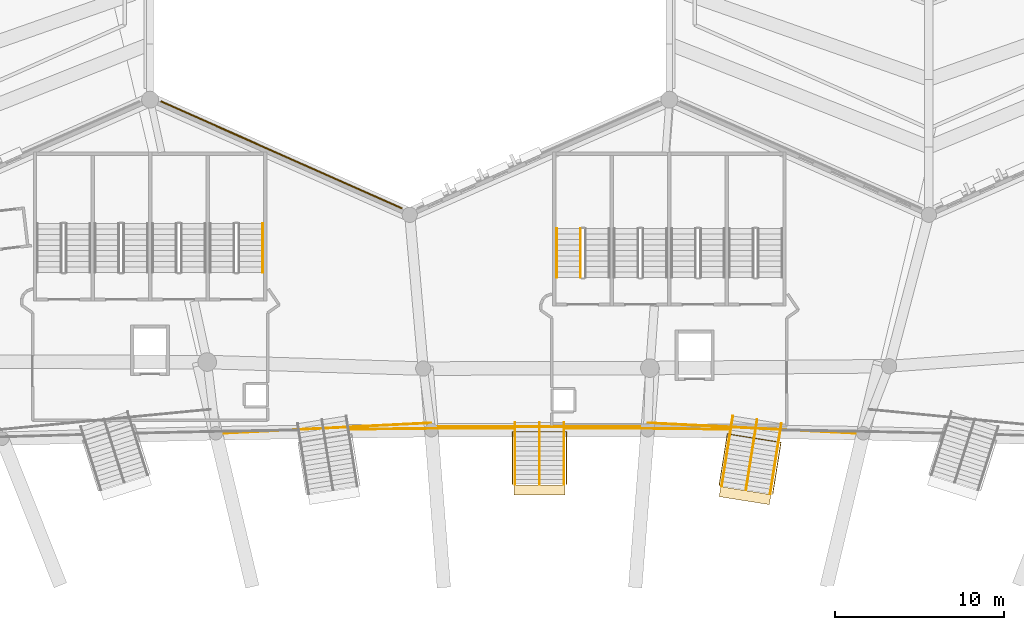
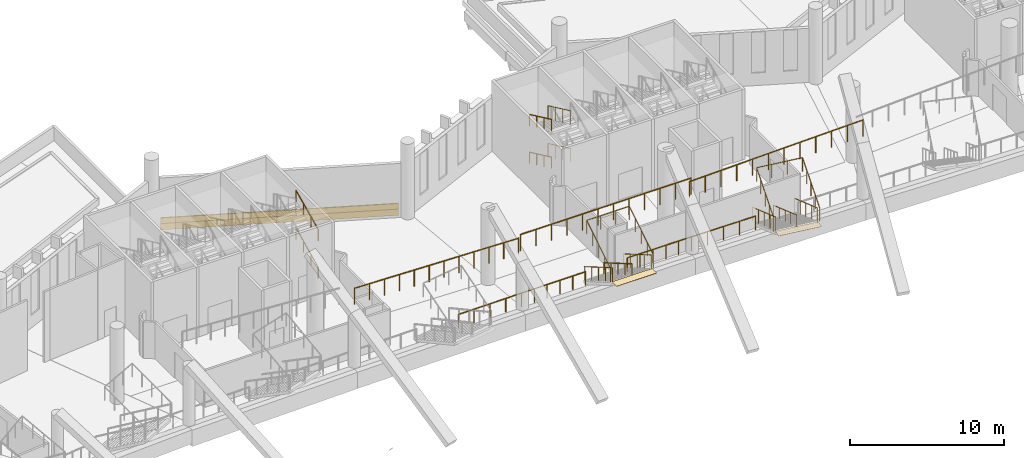
# One storey, part 157 of 173: 19 railings, 4 coverings.
"""IFC4 building model written with IfcOpenShell, lengths in metres."""

from ifc_helpers import new_model, si_unit, direction, frame, origin, origin_2d, place, context, subcontext, project, spatial, rectangle, circle, extrude, material, layer, layer_set, type_object, element, save


model = new_model("IFC4")

# Units and contexts
model_context = context("Model", 3, precision=1e-05, world=origin(), true_north=direction((0.0, 1.0)))
body_context = subcontext(model_context, "Body", "Model", "MODEL_VIEW")
ifc_project = project(units=[si_unit("LENGTHUNIT", "METRE"), si_unit("AREAUNIT", "SQUARE_METRE"), si_unit("VOLUMEUNIT", "CUBIC_METRE"), si_unit("PLANEANGLEUNIT", "RADIAN"), si_unit("MASSUNIT", "GRAM", prefix="KILO")], contexts=[model_context])

# Site, building, storey
site_placement = place(None, origin())
site = spatial("IfcSite", under=ifc_project, at=site_placement, CompositionType="ELEMENT")
building_placement = place(site_placement, origin())
building = spatial("IfcBuilding", under=site, at=building_placement, Name="Meseta Stadium", CompositionType="ELEMENT")
storey_placement = place(building_placement, frame((0.0, 0.0, 18.0)))
storey = spatial("IfcBuildingStorey", under=building, at=storey_placement, Name="L03", CompositionType="ELEMENT", Elevation=18.0)

# Covering
ifc_material_1 = material(Name="Guadarrama granite cladding", Category="masonry")
ifc_layer_1 = layer(ifc_material_1, 0.06005859375)
ifc_layer_set_1 = layer_set([ifc_layer_1], Name="Granite plinth cladding 60")
covering_type_1 = type_object("IfcCoveringType", Name="Granite plinth cladding 60", PredefinedType="CLADDING", material=ifc_layer_set_1)
covering_1_placement = place(storey_placement, frame((-15.247802734375, 102.131591796875, 0.0), z_axis=(0.0, 0.0, 1.0), x_axis=(0.914139367606, -0.405400069798, 0.0)))
element("IfcCovering", 1, at=covering_1_placement, inside=storey, type_object=covering_type_1, Name="Granite plinth L03 F19", PredefinedType="CLADDING", context=body_context, shape_type="SweptSolid", body=[
    extrude(rectangle(XDim=15.58447265625, YDim=0.06005859375, at=origin_2d()), origin(), (0.0, 0.0, 1.0), 0.5),
])

# Railings
ifc_material_2 = material(Name="Steel S355", Category="steel")
railing_type_1 = type_object("IfcRailingType", Name="Plate edge guard 1100", PredefinedType="GUARDRAIL", material=ifc_material_2)
railing_1_placement = place(storey_placement, frame((11.171142578125, 85.928955078125, 0.0)))
element("IfcRailing", 2, at=railing_1_placement, inside=storey, type_object=railing_type_1, Name="L03 inner edge guard 19", PredefinedType="GUARDRAIL", context=body_context, shape_type="SweptSolid", body=[
    extrude(circle(Radius=0.02490234375, at=origin_2d()), frame((0.0, 0.0, 1.0751953125), z_axis=(-0.999949968022, 0.010003072206, 0.0), x_axis=(-0.010003072206, -0.999949968022, 0.0)), (0.0, 0.0, 1.0), 4.78369140625),
    extrude(circle(Radius=0.02490234375, at=origin_2d()), frame((-4.783447265625, 0.0478515625, 1.0751953125), z_axis=(-0.999990281126, 0.004408815409, 0.0), x_axis=(-0.004408815409, -0.999990281126, 0.0)), (0.0, 0.0, 1.0), 4.817626953125),
    extrude(circle(Radius=0.02001953125, at=origin_2d()), origin(), (0.0, 0.0, 1.0), 1.050048828125),
    extrude(circle(Radius=0.02001953125, at=origin_2d()), frame((-1.19580078125, 0.011962890625, 0.0)), (0.0, 0.0, 1.0), 1.050048828125),
    extrude(circle(Radius=0.02001953125, at=origin_2d()), frame((-2.3916015625, 0.02392578125, 0.0)), (0.0, 0.0, 1.0), 1.050048828125),
    extrude(circle(Radius=0.02001953125, at=origin_2d()), frame((-3.587646484375, 0.035888671875, 0.0)), (0.0, 0.0, 1.0), 1.050048828125),
    extrude(circle(Radius=0.02001953125, at=origin_2d()), frame((-4.783447265625, 0.0478515625, 0.0)), (0.0, 0.0, 1.0), 1.050048828125),
    extrude(circle(Radius=0.02001953125, at=origin_2d()), frame((-5.7470703125, 0.052001953125, 0.0)), (0.0, 0.0, 1.0), 1.050048828125),
    extrude(circle(Radius=0.02001953125, at=origin_2d()), frame((-6.71044921875, 0.056396484375, 0.0)), (0.0, 0.0, 1.0), 1.050048828125),
    extrude(circle(Radius=0.02001953125, at=origin_2d()), frame((-7.674072265625, 0.060546875, 0.0)), (0.0, 0.0, 1.0), 1.050048828125),
    extrude(circle(Radius=0.02001953125, at=origin_2d()), frame((-8.637451171875, 0.06494140625, 0.0)), (0.0, 0.0, 1.0), 1.050048828125),
    extrude(circle(Radius=0.02001953125, at=origin_2d()), frame((-9.60107421875, 0.069091796875, 0.0)), (0.0, 0.0, 1.0), 1.050048828125),
])
railing_2_placement = place(storey_placement, frame((-1.570068359375, 85.998046875, 0.0)))
element("IfcRailing", 3, at=railing_2_placement, inside=storey, type_object=railing_type_1, Name="L03 inner edge guard 20", PredefinedType="GUARDRAIL", context=body_context, shape_type="SweptSolid", body=[
    extrude(circle(Radius=0.02490234375, at=origin_2d()), frame((0.0, 0.0, 1.0751953125), z_axis=(-0.999990281126, -0.004408815409, 0.0), x_axis=(0.004408815409, -0.999990281126, 0.0)), (0.0, 0.0, 1.0), 4.817626953125),
    extrude(circle(Radius=0.02490234375, at=origin_2d()), frame((-4.817626953125, -0.021240234375, 1.0751953125), z_axis=(-0.999949968022, -0.010003072206, 0.0), x_axis=(0.010003072206, -0.999949968022, 0.0)), (0.0, 0.0, 1.0), 4.78369140625),
    extrude(circle(Radius=0.02001953125, at=origin_2d()), origin(), (0.0, 0.0, 1.0), 1.050048828125),
    extrude(circle(Radius=0.02001953125, at=origin_2d()), frame((-0.963623046875, -0.004150390625, 0.0)), (0.0, 0.0, 1.0), 1.050048828125),
    extrude(circle(Radius=0.02001953125, at=origin_2d()), frame((-1.927001953125, -0.008544921875, 0.0)), (0.0, 0.0, 1.0), 1.050048828125),
    extrude(circle(Radius=0.02001953125, at=origin_2d()), frame((-2.890625, -0.0126953125, 0.0)), (0.0, 0.0, 1.0), 1.050048828125),
    extrude(circle(Radius=0.02001953125, at=origin_2d()), frame((-3.85400390625, -0.01708984375, 0.0)), (0.0, 0.0, 1.0), 1.050048828125),
    extrude(circle(Radius=0.02001953125, at=origin_2d()), frame((-4.817626953125, -0.021240234375, 0.0)), (0.0, 0.0, 1.0), 1.050048828125),
    extrude(circle(Radius=0.02001953125, at=origin_2d()), frame((-6.013427734375, -0.033203125, 0.0)), (0.0, 0.0, 1.0), 1.050048828125),
    extrude(circle(Radius=0.02001953125, at=origin_2d()), frame((-7.20947265625, -0.045166015625, 0.0)), (0.0, 0.0, 1.0), 1.050048828125),
    extrude(circle(Radius=0.02001953125, at=origin_2d()), frame((-8.4052734375, -0.05712890625, 0.0)), (0.0, 0.0, 1.0), 1.050048828125),
    extrude(circle(Radius=0.02001953125, at=origin_2d()), frame((-9.60107421875, -0.069091796875, 0.0)), (0.0, 0.0, 1.0), 1.050048828125),
])
ifc_material_3 = material(Name="Steel S355", Category="steel")
railing_type_2 = type_object("IfcRailingType", Name="Stair guard 1100", PredefinedType="GUARDRAIL", material=ifc_material_3)
for number, where, name in (
    (4, (2.416748046875, 97.780029296875, 1.64990234375), "ST40 L03 guard 3"),
    (5, (2.416748046875, 97.780029296875, 4.64990234375), "ST40 L03 guard 7"),
):
    element("IfcRailing", number, at=place(storey_placement, frame(where)), inside=storey, type_object=railing_type_2, Name=name, PredefinedType="GUARDRAIL", context=body_context, shape_type="SweptSolid", body=[
        extrude(circle(Radius=0.02392578125, at=origin_2d()), frame((0.0, 0.0, 1.076171875), z_axis=(0.0, -0.905454327043, 0.424443708447), x_axis=(1.0, 0.0, 0.0)), (0.0, 0.0, 1.0), 3.180908203125),
        extrude(circle(Radius=0.02099609375, at=origin_2d()), origin(), (0.0, 0.0, 1.0), 1.052001953125),
        extrude(circle(Radius=0.02099609375, at=origin_2d()), frame((0.0, -0.9599609375, 0.449951171875)), (0.0, 0.0, 1.0), 1.052001953125),
        extrude(circle(Radius=0.02099609375, at=origin_2d()), frame((0.0, -1.920166015625, 0.900146484375)), (0.0, 0.0, 1.0), 1.052001953125),
        extrude(circle(Radius=0.02099609375, at=origin_2d()), frame((0.0, -2.880126953125, 1.35009765625)), (0.0, 0.0, 1.0), 1.052001953125),
    ])
ifc_material_4 = material(Name="Steel S355", Category="steel")
railing_type_3 = type_object("IfcRailingType", Name="Stair handrail 900", PredefinedType="HANDRAIL", material=ifc_material_4)
for number, where, name in (
    (6, (1.0166015625, 97.780029296875, 1.64990234375), "ST40 L03 handrail 2"),
    (7, (1.0166015625, 97.780029296875, 4.64990234375), "ST40 L03 handrail 4"),
):
    element("IfcRailing", number, at=place(storey_placement, frame(where)), inside=storey, type_object=railing_type_3, Name=name, PredefinedType="HANDRAIL", context=body_context, shape_type="SweptSolid", body=[
        extrude(circle(Radius=0.02392578125, at=origin_2d()), frame((0.0, 0.0, 0.8759765625), z_axis=(0.0, -0.905454327043, 0.424443708447), x_axis=(1.0, 0.0, 0.0)), (0.0, 0.0, 1.0), 3.180908203125),
        extrude(circle(Radius=0.02099609375, at=origin_2d()), origin(), (0.0, 0.0, 1.0), 0.851806640625),
        extrude(circle(Radius=0.02099609375, at=origin_2d()), frame((0.0, -0.9599609375, 0.449951171875)), (0.0, 0.0, 1.0), 0.851806640625),
        extrude(circle(Radius=0.02099609375, at=origin_2d()), frame((0.0, -1.920166015625, 0.900146484375)), (0.0, 0.0, 1.0), 0.851806640625),
        extrude(circle(Radius=0.02099609375, at=origin_2d()), frame((0.0, -2.880126953125, 1.35009765625)), (0.0, 0.0, 1.0), 0.851806640625),
    ])
for number, where, name in (
    (8, (-16.35009765625, 95.199951171875, 0.14990234375), "ST41 L03 handrail 1"),
    (9, (-16.35009765625, 95.199951171875, 3.14990234375), "ST41 L03 handrail 3"),
):
    element("IfcRailing", number, at=place(storey_placement, frame(where)), inside=storey, type_object=railing_type_3, Name=name, PredefinedType="HANDRAIL", context=body_context, shape_type="SweptSolid", body=[
        extrude(circle(Radius=0.02392578125, at=origin_2d()), frame((0.0, 0.0, 0.8759765625), z_axis=(0.0, 0.905454327043, 0.424443708447), x_axis=(-1.0, 0.0, 0.0)), (0.0, 0.0, 1.0), 3.180908203125),
        extrude(circle(Radius=0.02099609375, at=origin_2d()), origin(), (0.0, 0.0, 1.0), 0.851806640625),
        extrude(circle(Radius=0.02099609375, at=origin_2d()), frame((0.0, 0.9599609375, 0.449951171875)), (0.0, 0.0, 1.0), 0.851806640625),
        extrude(circle(Radius=0.02099609375, at=origin_2d()), frame((0.0, 1.920166015625, 0.900146484375)), (0.0, 0.0, 1.0), 0.851806640625),
        extrude(circle(Radius=0.02099609375, at=origin_2d()), frame((0.0, 2.880126953125, 1.35009765625)), (0.0, 0.0, 1.0), 0.851806640625),
    ])
ifc_material_5 = material(Name="Steel S355", Category="steel")
railing_type_4 = type_object("IfcRailingType", Name="Stand rear guard 1300", PredefinedType="GUARDRAIL", material=ifc_material_5)
railing_3_placement = place(storey_placement, frame((19.11181640625, 85.669921875, 4.8291015625)))
element("IfcRailing", 10, at=railing_3_placement, inside=storey, type_object=railing_type_4, Name="Stand upper tier rear guard bay 18", PredefinedType="GUARDRAIL", context=body_context, shape_type="SweptSolid", body=[
    extrude(circle(Radius=0.02490234375, at=origin_2d()), frame((0.0, 0.0, 1.27490234375), z_axis=(-0.996516209228, 0.04984306383, -0.066866387168), x_axis=(-0.049954865883, -0.998751476282, 0.0)), (0.0, 0.0, 1.0), 12.7353515625),
    extrude(circle(Radius=0.02001953125, at=origin_2d()), origin(), (0.0, 0.0, 1.0), 1.25),
    extrude(circle(Radius=0.02001953125, at=origin_2d()), frame((-1.15380859375, 0.0576171875, -0.077392578125)), (0.0, 0.0, 1.0), 1.25),
    extrude(circle(Radius=0.02001953125, at=origin_2d()), frame((-2.307373046875, 0.115478515625, -0.15478515625)), (0.0, 0.0, 1.0), 1.25),
    extrude(circle(Radius=0.02001953125, at=origin_2d()), frame((-3.461181640625, 0.173095703125, -0.232177734375)), (0.0, 0.0, 1.0), 1.25),
    extrude(circle(Radius=0.02001953125, at=origin_2d()), frame((-4.614990234375, 0.230712890625, -0.3095703125)), (0.0, 0.0, 1.0), 1.25),
    extrude(circle(Radius=0.02001953125, at=origin_2d()), frame((-5.7685546875, 0.28857421875, -0.386962890625)), (0.0, 0.0, 1.0), 1.25),
    extrude(circle(Radius=0.02001953125, at=origin_2d()), frame((-6.92236328125, 0.34619140625, -0.464599609375)), (0.0, 0.0, 1.0), 1.25),
    extrude(circle(Radius=0.02001953125, at=origin_2d()), frame((-8.075927734375, 0.404052734375, -0.5419921875)), (0.0, 0.0, 1.0), 1.25),
    extrude(circle(Radius=0.02001953125, at=origin_2d()), frame((-9.229736328125, 0.461669921875, -0.619384765625)), (0.0, 0.0, 1.0), 1.25),
    extrude(circle(Radius=0.02001953125, at=origin_2d()), frame((-10.383544921875, 0.519287109375, -0.69677734375)), (0.0, 0.0, 1.0), 1.25),
    extrude(circle(Radius=0.02001953125, at=origin_2d()), frame((-11.537109375, 0.5771484375, -0.774169921875)), (0.0, 0.0, 1.0), 1.25),
    extrude(circle(Radius=0.02001953125, at=origin_2d()), frame((-12.69091796875, 0.634765625, -0.8515625)), (0.0, 0.0, 1.0), 1.25),
])
railing_4_placement = place(storey_placement, frame((6.40283203125, 86.076171875, 4.401611328125)))
element("IfcRailing", 11, at=railing_4_placement, inside=storey, type_object=railing_type_4, Name="Stand upper tier rear guard bay 19", PredefinedType="GUARDRAIL", context=body_context, shape_type="SweptSolid", body=[
    extrude(circle(Radius=0.02490234375, at=origin_2d()), frame((0.0, 0.0, 1.27490234375), z_axis=(-1.0, 0.0, 0.0), x_axis=(0.0, -1.0, 0.0)), (0.0, 0.0, 1.0), 12.8056640625),
    extrude(circle(Radius=0.02001953125, at=origin_2d()), origin(), (0.0, 0.0, 1.0), 1.25),
    extrude(circle(Radius=0.02001953125, at=origin_2d()), frame((-1.1640625, 0.0, 0.0)), (0.0, 0.0, 1.0), 1.25),
    extrude(circle(Radius=0.02001953125, at=origin_2d()), frame((-2.328369140625, 0.0, 0.0)), (0.0, 0.0, 1.0), 1.25),
    extrude(circle(Radius=0.02001953125, at=origin_2d()), frame((-3.492431640625, 0.0, 0.0)), (0.0, 0.0, 1.0), 1.25),
    extrude(circle(Radius=0.02001953125, at=origin_2d()), frame((-4.656494140625, 0.0, 0.0)), (0.0, 0.0, 1.0), 1.25),
    extrude(circle(Radius=0.02001953125, at=origin_2d()), frame((-5.82080078125, 0.0, 0.0)), (0.0, 0.0, 1.0), 1.25),
    extrude(circle(Radius=0.02001953125, at=origin_2d()), frame((-6.98486328125, 0.0, 0.0)), (0.0, 0.0, 1.0), 1.25),
    extrude(circle(Radius=0.02001953125, at=origin_2d()), frame((-8.149169921875, 0.0, 0.0)), (0.0, 0.0, 1.0), 1.25),
    extrude(circle(Radius=0.02001953125, at=origin_2d()), frame((-9.313232421875, 0.0, 0.0)), (0.0, 0.0, 1.0), 1.25),
    extrude(circle(Radius=0.02001953125, at=origin_2d()), frame((-10.477294921875, 0.0, 0.0)), (0.0, 0.0, 1.0), 1.25),
    extrude(circle(Radius=0.02001953125, at=origin_2d()), frame((-11.6416015625, 0.0, 0.0)), (0.0, 0.0, 1.0), 1.25),
    extrude(circle(Radius=0.02001953125, at=origin_2d()), frame((-12.8056640625, 0.0, 0.0)), (0.0, 0.0, 1.0), 1.25),
])
railing_5_placement = place(storey_placement, frame((-6.4208984375, 86.3046875, 3.9775390625)))
element("IfcRailing", 12, at=railing_5_placement, inside=storey, type_object=railing_type_4, Name="Stand upper tier rear guard bay 20", PredefinedType="GUARDRAIL", context=body_context, shape_type="SweptSolid", body=[
    extrude(circle(Radius=0.02490234375, at=origin_2d()), frame((0.0, 0.0, 1.27490234375), z_axis=(-0.996516209228, -0.04984306383, 0.066866387168), x_axis=(0.049954865883, -0.998751476282, 0.0)), (0.0, 0.0, 1.0), 12.7353515625),
    extrude(circle(Radius=0.02001953125, at=origin_2d()), origin(), (0.0, 0.0, 1.0), 1.25),
    extrude(circle(Radius=0.02001953125, at=origin_2d()), frame((-1.15380859375, -0.0576171875, 0.077392578125)), (0.0, 0.0, 1.0), 1.25),
    extrude(circle(Radius=0.02001953125, at=origin_2d()), frame((-2.307373046875, -0.115478515625, 0.15478515625)), (0.0, 0.0, 1.0), 1.25),
    extrude(circle(Radius=0.02001953125, at=origin_2d()), frame((-3.461181640625, -0.173095703125, 0.232177734375)), (0.0, 0.0, 1.0), 1.25),
    extrude(circle(Radius=0.02001953125, at=origin_2d()), frame((-4.614990234375, -0.230712890625, 0.3095703125)), (0.0, 0.0, 1.0), 1.25),
    extrude(circle(Radius=0.02001953125, at=origin_2d()), frame((-5.7685546875, -0.28857421875, 0.386962890625)), (0.0, 0.0, 1.0), 1.25),
    extrude(circle(Radius=0.02001953125, at=origin_2d()), frame((-6.92236328125, -0.34619140625, 0.464599609375)), (0.0, 0.0, 1.0), 1.25),
    extrude(circle(Radius=0.02001953125, at=origin_2d()), frame((-8.075927734375, -0.404052734375, 0.5419921875)), (0.0, 0.0, 1.0), 1.25),
    extrude(circle(Radius=0.02001953125, at=origin_2d()), frame((-9.229736328125, -0.461669921875, 0.619384765625)), (0.0, 0.0, 1.0), 1.25),
    extrude(circle(Radius=0.02001953125, at=origin_2d()), frame((-10.383544921875, -0.519287109375, 0.69677734375)), (0.0, 0.0, 1.0), 1.25),
    extrude(circle(Radius=0.02001953125, at=origin_2d()), frame((-11.537109375, -0.5771484375, 0.774169921875)), (0.0, 0.0, 1.0), 1.25),
    extrude(circle(Radius=0.02001953125, at=origin_2d()), frame((-12.69091796875, -0.634765625, 0.8515625)), (0.0, 0.0, 1.0), 1.25),
])

# Coverings
ifc_material_6 = material(Name="Precast concrete C40/50, terracotta pigment", Category="masonry")
ifc_layer_2 = layer(ifc_material_6, 0.080078125)
ifc_layer_set_2 = layer_set([ifc_layer_2], Name="Precast concrete C40/50, terracotta pigment")
covering_type_2 = type_object("IfcCoveringType", Name="Terracotta precast band 80", PredefinedType="CLADDING", material=ifc_layer_set_2)
covering_2_placement = place(storey_placement, frame((-15.24365234375, 102.140625, 0.5), z_axis=(0.0, 0.0, 1.0), x_axis=(0.914139367606, -0.405400069798, 0.0)))
element("IfcCovering", 13, at=covering_2_placement, inside=storey, type_object=covering_type_2, Name="Terracotta band L03 F19", PredefinedType="CLADDING", context=body_context, shape_type="SweptSolid", body=[
    extrude(rectangle(XDim=15.58447265625, YDim=0.080078125, at=origin_2d()), origin(), (0.0, 0.0, 1.0), 0.449951171875),
])
ifc_material_7 = material(Name="Stone paving", Category="masonry")
ifc_layer_3 = layer(ifc_material_7, 0.02001953125)
ifc_layer_set_3 = layer_set([ifc_layer_3], Name="Vomitory exit threshold plate 20")
covering_type_3 = type_object("IfcCoveringType", Name="Vomitory exit threshold plate 20", PredefinedType="FLOORING", material=ifc_layer_set_3)
for number, where, z_axis, x_axis, name in (
    (14, (12.13916015625, 82.013427734375, 2.077880859375), (0.0, 0.0, 1.0), (-0.15676715754, -0.987635589839, 0.0), "Vomitory V-upper-18 exit threshold"),
    (15, (0.0, 82.352783203125, 2.26318359375), (0.0, 0.0, 1.0), (0.0, -1.0, 0.0), "Vomitory V-upper-19 exit threshold"),
):
    element("IfcCovering", number, at=place(storey_placement, frame(where, z_axis=z_axis, x_axis=x_axis)), inside=storey, type_object=covering_type_3, Name=name, PredefinedType="FLOORING", context=body_context, shape_type="SweptSolid", body=[
        extrude(rectangle(XDim=0.60009765625, YDim=3.0, at=origin_2d()), origin(), (0.0, 0.0, 1.0), 0.02001953125),
    ])

# Railings
ifc_material_8 = material(Name="Steel S355", Category="steel")
railing_type_5 = type_object("IfcRailingType", Name="Vomitory slot guard 1100", PredefinedType="GUARDRAIL", material=ifc_material_8)
railing_6_placement = place(storey_placement, frame((10.611328125, 82.593994140625, 2.097900390625)))
element("IfcRailing", 16, at=railing_6_placement, inside=storey, type_object=railing_type_5, Name="Vomitory V-upper-18 slot guard", PredefinedType="GUARDRAIL", context=body_context, shape_type="SweptSolid", body=[
    extrude(circle(Radius=0.02490234375, at=origin_2d()), frame((0.0, 0.0, 1.0751953125), z_axis=(0.132963749963, 0.83751802526, 0.529985092772), x_axis=(-0.987631076604, 0.156795588352, 0.0)), (0.0, 0.0, 1.0), 3.65576171875),
    extrude(circle(Radius=0.02490234375, at=origin_2d()), frame((0.486083984375, 3.061767578125, 3.0126953125), z_axis=(0.987644527037, -0.156710842683, 0.0), x_axis=(0.156710842683, 0.987644527037, 0.0)), (0.0, 0.0, 1.0), 3.199951171875),
    extrude(circle(Radius=0.02490234375, at=origin_2d()), frame((3.646484375, 2.560302734375, 3.0126953125), z_axis=(-0.132963749963, -0.83751802526, -0.529985092772), x_axis=(0.987631076604, -0.156795588352, 0.0)), (0.0, 0.0, 1.0), 3.65576171875),
    extrude(circle(Radius=0.02001953125, at=origin_2d()), origin(), (0.0, 0.0, 1.0), 1.050048828125),
    extrude(circle(Radius=0.02001953125, at=origin_2d()), frame((0.12158203125, 0.765380859375, 0.484375)), (0.0, 0.0, 1.0), 1.050048828125),
    extrude(circle(Radius=0.02001953125, at=origin_2d()), frame((0.2431640625, 1.53076171875, 0.96875)), (0.0, 0.0, 1.0), 1.050048828125),
    extrude(circle(Radius=0.02001953125, at=origin_2d()), frame((0.364501953125, 2.29638671875, 1.453125)), (0.0, 0.0, 1.0), 1.050048828125),
    extrude(circle(Radius=0.02001953125, at=origin_2d()), frame((0.486083984375, 3.061767578125, 1.9375)), (0.0, 0.0, 1.0), 1.050048828125),
    extrude(circle(Radius=0.02001953125, at=origin_2d()), frame((1.53955078125, 2.89453125, 1.9375)), (0.0, 0.0, 1.0), 1.050048828125),
    extrude(circle(Radius=0.02001953125, at=origin_2d()), frame((2.593017578125, 2.7275390625, 1.9375)), (0.0, 0.0, 1.0), 1.050048828125),
    extrude(circle(Radius=0.02001953125, at=origin_2d()), frame((3.646484375, 2.560302734375, 1.9375)), (0.0, 0.0, 1.0), 1.050048828125),
    extrude(circle(Radius=0.02001953125, at=origin_2d()), frame((3.52490234375, 1.794921875, 1.453125)), (0.0, 0.0, 1.0), 1.050048828125),
    extrude(circle(Radius=0.02001953125, at=origin_2d()), frame((3.4033203125, 1.029296875, 0.96875)), (0.0, 0.0, 1.0), 1.050048828125),
    extrude(circle(Radius=0.02001953125, at=origin_2d()), frame((3.281982421875, 0.263916015625, 0.484375)), (0.0, 0.0, 1.0), 1.050048828125),
    extrude(circle(Radius=0.02001953125, at=origin_2d()), frame((3.160400390625, -0.50146484375, 0.0)), (0.0, 0.0, 1.0), 1.050048828125),
])
railing_7_placement = place(storey_placement, frame((-1.60009765625, 82.686767578125, 2.283203125)))
element("IfcRailing", 17, at=railing_7_placement, inside=storey, type_object=railing_type_5, Name="Vomitory V-upper-19 slot guard", PredefinedType="GUARDRAIL", context=body_context, shape_type="SweptSolid", body=[
    extrude(circle(Radius=0.02490234375, at=origin_2d()), frame((0.0, 0.0, 1.0751953125), z_axis=(0.0, 0.848005807586, 0.529986934084), x_axis=(-1.0, 0.0, 0.0)), (0.0, 0.0, 1.0), 3.65576171875),
    extrude(circle(Radius=0.02490234375, at=origin_2d()), frame((0.0, 3.10009765625, 3.0126953125), z_axis=(1.0, 0.0, 0.0), x_axis=(0.0, 1.0, 0.0)), (0.0, 0.0, 1.0), 3.2001953125),
    extrude(circle(Radius=0.02490234375, at=origin_2d()), frame((3.2001953125, 3.10009765625, 3.0126953125), z_axis=(0.0, -0.848005807586, -0.529986934084), x_axis=(1.0, 0.0, 0.0)), (0.0, 0.0, 1.0), 3.65576171875),
    extrude(circle(Radius=0.02001953125, at=origin_2d()), origin(), (0.0, 0.0, 1.0), 1.050048828125),
    extrude(circle(Radius=0.02001953125, at=origin_2d()), frame((0.0, 0.77490234375, 0.484375)), (0.0, 0.0, 1.0), 1.050048828125),
    extrude(circle(Radius=0.02001953125, at=origin_2d()), frame((0.0, 1.550048828125, 0.96875)), (0.0, 0.0, 1.0), 1.050048828125),
    extrude(circle(Radius=0.02001953125, at=origin_2d()), frame((0.0, 2.3251953125, 1.453125)), (0.0, 0.0, 1.0), 1.050048828125),
    extrude(circle(Radius=0.02001953125, at=origin_2d()), frame((0.0, 3.10009765625, 1.9375)), (0.0, 0.0, 1.0), 1.050048828125),
    extrude(circle(Radius=0.02001953125, at=origin_2d()), frame((1.066650390625, 3.10009765625, 1.9375)), (0.0, 0.0, 1.0), 1.050048828125),
    extrude(circle(Radius=0.02001953125, at=origin_2d()), frame((2.133544921875, 3.10009765625, 1.9375)), (0.0, 0.0, 1.0), 1.050048828125),
    extrude(circle(Radius=0.02001953125, at=origin_2d()), frame((3.2001953125, 3.10009765625, 1.9375)), (0.0, 0.0, 1.0), 1.050048828125),
    extrude(circle(Radius=0.02001953125, at=origin_2d()), frame((3.2001953125, 2.3251953125, 1.453125)), (0.0, 0.0, 1.0), 1.050048828125),
    extrude(circle(Radius=0.02001953125, at=origin_2d()), frame((3.2001953125, 1.550048828125, 0.96875)), (0.0, 0.0, 1.0), 1.050048828125),
    extrude(circle(Radius=0.02001953125, at=origin_2d()), frame((3.2001953125, 0.77490234375, 0.484375)), (0.0, 0.0, 1.0), 1.050048828125),
    extrude(circle(Radius=0.02001953125, at=origin_2d()), frame((3.2001953125, 0.0, 0.0)), (0.0, 0.0, 1.0), 1.050048828125),
])
ifc_material_9 = material(Name="Steel S355", Category="steel")
railing_type_6 = type_object("IfcRailingType", Name="Vomitory stair guard 1100", PredefinedType="GUARDRAIL", material=ifc_material_9)
for number, where, name in (
    (18, (14.281982421875, 86.26416015625, 0.131103515625), "Vomitory V-upper-18 guard left"),
    (19, (11.41796875, 86.71875, 0.131103515625), "Vomitory V-upper-18 guard right"),
):
    element("IfcRailing", number, at=place(storey_placement, frame(where)), inside=storey, type_object=railing_type_6, Name=name, PredefinedType="GUARDRAIL", context=body_context, shape_type="SweptSolid", body=[
        extrude(circle(Radius=0.02490234375, at=origin_2d()), frame((0.0, 0.0, 1.0751953125), z_axis=(-0.141973518733, -0.894427903893, 0.424078111574), x_axis=(0.987635385611, -0.156768444176, 0.0)), (0.0, 0.0, 1.0), 4.637939453125),
        extrude(circle(Radius=0.02001953125, at=origin_2d()), origin(), (0.0, 0.0, 1.0), 1.050048828125),
        extrude(circle(Radius=0.02001953125, at=origin_2d()), frame((-0.16455078125, -1.037109375, 0.49169921875)), (0.0, 0.0, 1.0), 1.050048828125),
        extrude(circle(Radius=0.02001953125, at=origin_2d()), frame((-0.3291015625, -2.07421875, 0.9833984375)), (0.0, 0.0, 1.0), 1.050048828125),
        extrude(circle(Radius=0.02001953125, at=origin_2d()), frame((-0.493896484375, -3.111083984375, 1.47509765625)), (0.0, 0.0, 1.0), 1.050048828125),
        extrude(circle(Radius=0.02001953125, at=origin_2d()), frame((-0.658447265625, -4.148193359375, 1.966796875)), (0.0, 0.0, 1.0), 1.050048828125),
    ])
for number, where, name in (
    (20, (1.449951171875, 86.326904296875, 0.1630859375), "Vomitory V-upper-19 guard left"),
    (21, (-1.449951171875, 86.326904296875, 0.1630859375), "Vomitory V-upper-19 guard right"),
):
    element("IfcRailing", number, at=place(storey_placement, frame(where)), inside=storey, type_object=railing_type_6, Name=name, PredefinedType="GUARDRAIL", context=body_context, shape_type="SweptSolid", body=[
        extrude(circle(Radius=0.02490234375, at=origin_2d()), frame((0.0, 0.0, 1.0751953125), z_axis=(0.0, -0.864119230812, 0.503287149589), x_axis=(1.0, 0.0, 0.0)), (0.0, 0.0, 1.0), 4.212646484375),
        extrude(circle(Radius=0.02001953125, at=origin_2d()), origin(), (0.0, 0.0, 1.0), 1.050048828125),
        extrude(circle(Radius=0.02001953125, at=origin_2d()), frame((0.0, -0.91015625, 0.530029296875)), (0.0, 0.0, 1.0), 1.050048828125),
        extrude(circle(Radius=0.02001953125, at=origin_2d()), frame((0.0, -1.820068359375, 1.06005859375)), (0.0, 0.0, 1.0), 1.050048828125),
        extrude(circle(Radius=0.02001953125, at=origin_2d()), frame((0.0, -2.72998046875, 1.590087890625)), (0.0, 0.0, 1.0), 1.050048828125),
        extrude(circle(Radius=0.02001953125, at=origin_2d()), frame((0.0, -3.64013671875, 2.1201171875)), (0.0, 0.0, 1.0), 1.050048828125),
    ])
ifc_material_10 = material(Name="Steel S355", Category="steel")
railing_type_7 = type_object("IfcRailingType", Name="Vomitory stair handrail 900", PredefinedType="HANDRAIL", material=ifc_material_10)
railing_8_placement = place(storey_placement, frame((12.85009765625, 86.491455078125, 0.131103515625)))
element("IfcRailing", 22, at=railing_8_placement, inside=storey, type_object=railing_type_7, Name="Vomitory V-upper-18 central handrail", PredefinedType="HANDRAIL", context=body_context, shape_type="SweptSolid", body=[
    extrude(circle(Radius=0.02490234375, at=origin_2d()), frame((0.0, 0.0, 0.875), z_axis=(-0.141973518733, -0.894427903893, 0.424078111574), x_axis=(0.987635385611, -0.156768444176, 0.0)), (0.0, 0.0, 1.0), 4.637939453125),
    extrude(circle(Radius=0.02001953125, at=origin_2d()), origin(), (0.0, 0.0, 1.0), 0.849853515625),
    extrude(circle(Radius=0.02001953125, at=origin_2d()), frame((-0.16455078125, -1.037109375, 0.49169921875)), (0.0, 0.0, 1.0), 0.849853515625),
    extrude(circle(Radius=0.02001953125, at=origin_2d()), frame((-0.3291015625, -2.07421875, 0.9833984375)), (0.0, 0.0, 1.0), 0.849853515625),
    extrude(circle(Radius=0.02001953125, at=origin_2d()), frame((-0.493896484375, -3.111083984375, 1.47509765625)), (0.0, 0.0, 1.0), 0.849853515625),
    extrude(circle(Radius=0.02001953125, at=origin_2d()), frame((-0.658447265625, -4.148193359375, 1.966796875)), (0.0, 0.0, 1.0), 0.849853515625),
])
railing_9_placement = place(storey_placement, frame((0.0, 86.326904296875, 0.1630859375)))
element("IfcRailing", 23, at=railing_9_placement, inside=storey, type_object=railing_type_7, Name="Vomitory V-upper-19 central handrail", PredefinedType="HANDRAIL", context=body_context, shape_type="SweptSolid", body=[
    extrude(circle(Radius=0.02490234375, at=origin_2d()), frame((0.0, 0.0, 0.875), z_axis=(0.0, -0.864119230812, 0.503287149589), x_axis=(1.0, 0.0, 0.0)), (0.0, 0.0, 1.0), 4.212646484375),
    extrude(circle(Radius=0.02001953125, at=origin_2d()), origin(), (0.0, 0.0, 1.0), 0.849853515625),
    extrude(circle(Radius=0.02001953125, at=origin_2d()), frame((0.0, -0.91015625, 0.530029296875)), (0.0, 0.0, 1.0), 0.849853515625),
    extrude(circle(Radius=0.02001953125, at=origin_2d()), frame((0.0, -1.820068359375, 1.06005859375)), (0.0, 0.0, 1.0), 0.849853515625),
    extrude(circle(Radius=0.02001953125, at=origin_2d()), frame((0.0, -2.72998046875, 1.590087890625)), (0.0, 0.0, 1.0), 0.849853515625),
    extrude(circle(Radius=0.02001953125, at=origin_2d()), frame((0.0, -3.64013671875, 2.1201171875)), (0.0, 0.0, 1.0), 0.849853515625),
])

save(model, "model.ifc")
